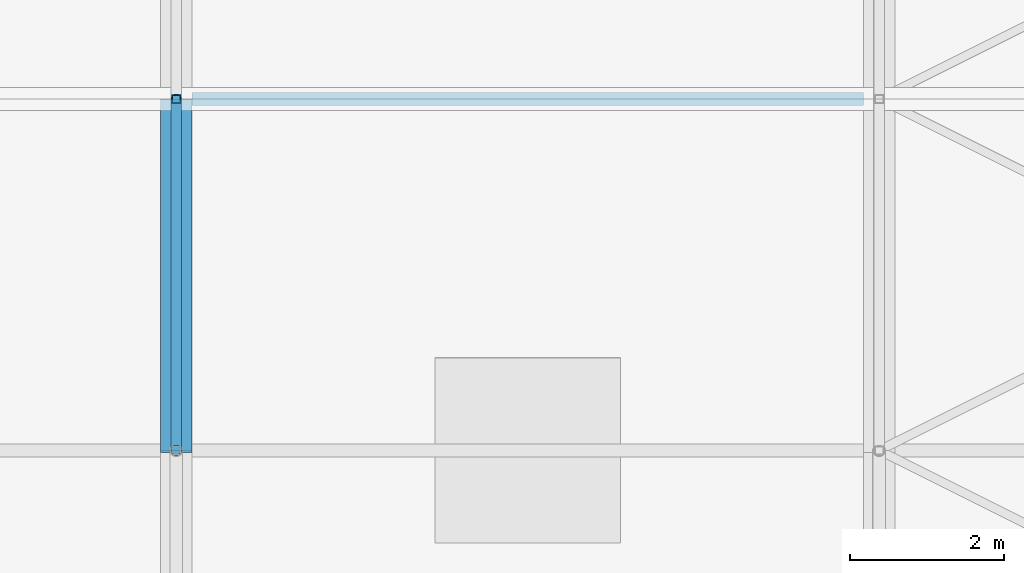
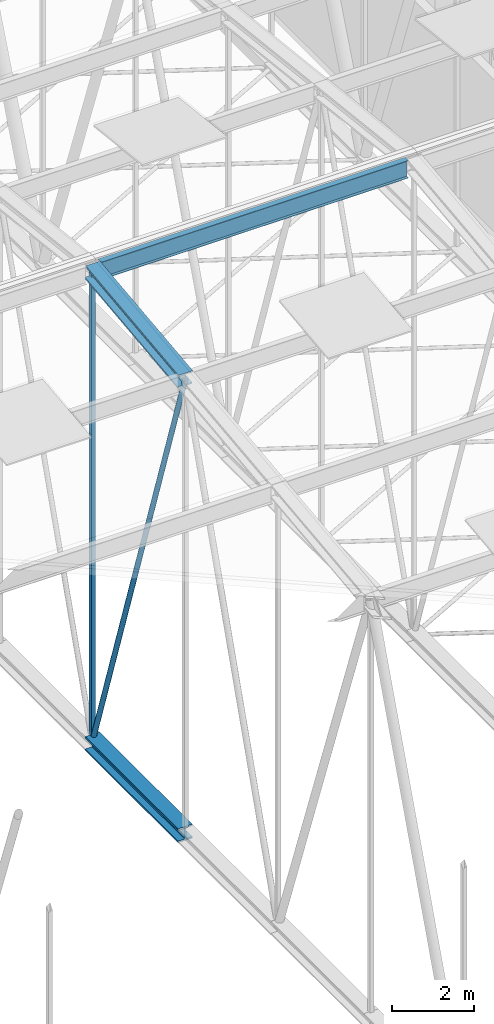
# One storey, part 145 of 500: 5 members.
"""IFC4 building model written with IfcOpenShell, lengths in metres."""

from ifc_helpers import new_model, si_unit, direction, frame, origin, origin_2d, place, context, subcontext, project, spatial, hollow_rectangle, hollow_circle, i_section, extrude, material, material_profile, profile_set, type_object, element, save


model = new_model("IFC4")

# Units and contexts
model_context = context("Model", 3, precision=1e-05, world=origin(), true_north=direction((0.0, 1.0)))
body_context = subcontext(model_context, "Body", "Model", "MODEL_VIEW")
ifc_project = project(units=[si_unit("LENGTHUNIT", "METRE"), si_unit("AREAUNIT", "SQUARE_METRE"), si_unit("VOLUMEUNIT", "CUBIC_METRE"), si_unit("PLANEANGLEUNIT", "RADIAN"), si_unit("MASSUNIT", "GRAM", prefix="KILO")], contexts=[model_context])

# Site, building, storey
site_placement = place(None, origin())
site = spatial("IfcSite", under=ifc_project, at=site_placement, CompositionType="ELEMENT")
building_placement = place(site_placement, origin())
building = spatial("IfcBuilding", under=site, at=building_placement, Name="Shirokan Park Arena", CompositionType="ELEMENT")
storey_placement = place(building_placement, frame((0.0, 0.0, 29.1201171875)))
storey = spatial("IfcBuildingStorey", under=building, at=storey_placement, Name="L06", CompositionType="ELEMENT", Elevation=29.1201171875)

# Members
ifc_material_1 = material(Name="Steel ASTM A992", Category="steel")
ifc_material_profile_1 = material_profile(ifc_material_1, i_section(OverallWidth=0.406005859375, OverallDepth=0.4169921875, WebThickness=0.030029296875, FlangeThickness=0.048095703125, at=origin_2d()), Name="W360X382")
ifc_profile_set_1 = profile_set([ifc_material_profile_1], Name="Steel ASTM A992")
member_type_1 = type_object("IfcMemberType", Name="Bottom chord W360X382", PredefinedType="CHORD", material=ifc_profile_set_1)
member_1_placement = place(storey_placement, frame((81.89990234375, 50.050048828125, 4.677001953125), z_axis=(0.0, 1.0, 0.0), x_axis=(-1.0, 0.0, 0.0)))
element("IfcMember", 1, at=member_1_placement, inside=storey, type_object=member_type_1, Name="Truss T10 bottom chord 14", PredefinedType="CHORD", context=body_context, shape_type="SweptSolid", body=[
    extrude(i_section(OverallWidth=0.406005859375, OverallDepth=0.4169921875, WebThickness=0.030029296875, FlangeThickness=0.048095703125, at=origin_2d()), origin(), (0.0, 0.0, 1.0), 4.550048828125),
])
ifc_material_profile_2 = material_profile(ifc_material_1, i_section(OverallWidth=0.166015625, OverallDepth=0.528076171875, WebThickness=0.009765625, FlangeThickness=0.013671875, at=origin_2d()), Name="W530X74")
ifc_profile_set_2 = profile_set([ifc_material_profile_2], Name="Steel ASTM A992")
member_type_2 = type_object("IfcMemberType", Name="Purlin W530X74", PredefinedType="PURLIN", material=ifc_profile_set_2)
member_2_placement = place(storey_placement, frame((82.10302734375, 54.60009765625, 18.725830078125), z_axis=(1.0, 0.0, 0.0), x_axis=(0.0, 1.0, 0.0)))
element("IfcMember", 2, at=member_2_placement, inside=storey, type_object=member_type_2, Name="Purlin 15 bay 10", PredefinedType="PURLIN", context=body_context, shape_type="SweptSolid", body=[
    extrude(i_section(OverallWidth=0.166015625, OverallDepth=0.528076171875, WebThickness=0.009765625, FlangeThickness=0.013671875, at=origin_2d()), origin(), (0.0, 0.0, 1.0), 8.694091796875),
])
ifc_material_profile_3 = material_profile(ifc_material_1, i_section(OverallWidth=0.406005859375, OverallDepth=0.4169921875, WebThickness=0.030029296875, FlangeThickness=0.048095703125, at=origin_2d()), Name="W360X382")
ifc_profile_set_3 = profile_set([ifc_material_profile_3], Name="Steel ASTM A992")
member_type_3 = type_object("IfcMemberType", Name="Top chord W360X382", PredefinedType="CHORD", material=ifc_profile_set_3)
member_3_placement = place(storey_placement, frame((81.89990234375, 50.050048828125, 18.261474609375), z_axis=(0.0, 0.993532328996, 0.113549598152), x_axis=(-1.0, 0.0, 0.0)))
element("IfcMember", 3, at=member_3_placement, inside=storey, type_object=member_type_3, Name="Truss T10 top chord 14", PredefinedType="CHORD", context=body_context, shape_type="SweptSolid", body=[
    extrude(i_section(OverallWidth=0.406005859375, OverallDepth=0.4169921875, WebThickness=0.030029296875, FlangeThickness=0.048095703125, at=origin_2d()), origin(), (0.0, 0.0, 1.0), 4.57958984375),
])
ifc_material_2 = material(Name="Steel ASTM A500 Grade C", Category="steel")
ifc_material_profile_4 = material_profile(ifc_material_2, hollow_circle(Radius=0.070556640625, WallThickness=0.006591796875, at=origin_2d()), Name="HSS141.3X6.6")
ifc_profile_set_4 = profile_set([ifc_material_profile_4], Name="Steel ASTM A500 Grade C")
member_type_4 = type_object("IfcMemberType", Name="Truss diagonal HSS141.3X6.6", PredefinedType="BRACE", material=ifc_profile_set_4)
member_4_placement = place(storey_placement, frame((81.89990234375, 50.050048828125, 18.261474609375), z_axis=(0.0, 0.317602683872, -0.948223884532), x_axis=(-1.0, 0.0, 0.0)))
element("IfcMember", 4, at=member_4_placement, inside=storey, type_object=member_type_4, Name="Truss T10 diagonal 14", PredefinedType="BRACE", context=body_context, shape_type="SweptSolid", body=[
    extrude(hollow_circle(Radius=0.070556640625, WallThickness=0.006591796875, at=origin_2d()), origin(), (0.0, 0.0, 1.0), 14.326171875),
])
ifc_material_profile_5 = material_profile(ifc_material_2, hollow_rectangle(XDim=0.114013671875, YDim=0.114013671875, WallThickness=0.00634765625, at=origin_2d()), Name="HSS114.3X114.3X6.4")
ifc_profile_set_5 = profile_set([ifc_material_profile_5], Name="Steel ASTM A500 Grade C")
member_type_5 = type_object("IfcMemberType", Name="Truss post HSS114.3X114.3X6.4", PredefinedType="POST", material=ifc_profile_set_5)
member_5_placement = place(storey_placement, frame((81.89990234375, 54.60009765625, 4.677001953125), z_axis=(0.0, 0.0, 1.0), x_axis=(1.0, 0.0, 0.0)))
element("IfcMember", 5, at=member_5_placement, inside=storey, type_object=member_type_5, Name="Truss T10 post 15", PredefinedType="POST", context=body_context, shape_type="SweptSolid", body=[
    extrude(hollow_rectangle(XDim=0.114013671875, YDim=0.114013671875, WallThickness=0.00634765625, at=origin_2d()), origin(), (0.0, 0.0, 1.0), 14.1044921875),
])

save(model, "model.ifc")
